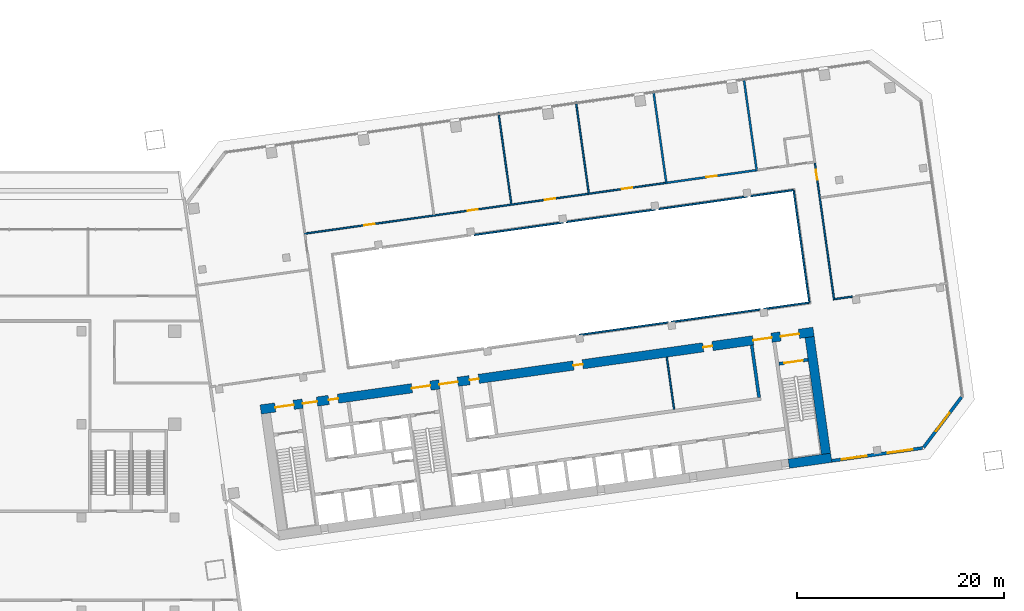
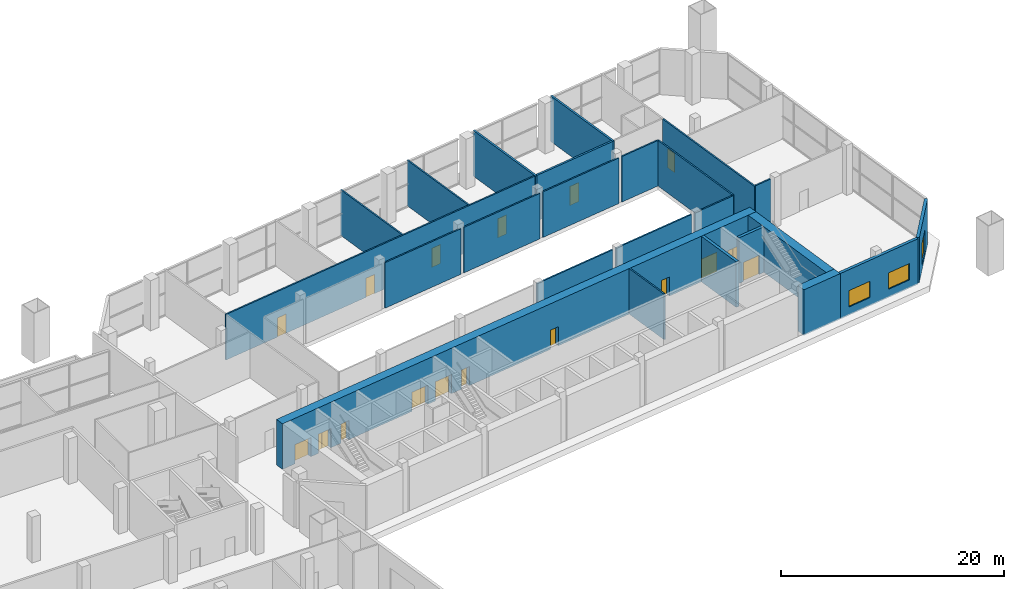
# One storey, part 17 of 23: 24 walls, 17 doors, 3 windows, 20 openings.
"""IFC4 building model written with IfcOpenShell, lengths in metres."""

from ifc_helpers import new_model, si_unit, direction, frame, frame_2d, origin, place, context, subcontext, project, spatial, rectangle, extrude, material, layer, layer_set, type_object, element, fill, save


model = new_model("IFC4")

# Units and contexts
model_context = context("Model", 3, precision=1e-05, world=origin(), true_north=direction((0.0, 1.0)))
body_context = subcontext(model_context, "Body", "Model", "MODEL_VIEW")
ifc_project = project(units=[si_unit("LENGTHUNIT", "METRE"), si_unit("AREAUNIT", "SQUARE_METRE"), si_unit("VOLUMEUNIT", "CUBIC_METRE"), si_unit("PLANEANGLEUNIT", "RADIAN"), si_unit("MASSUNIT", "GRAM", prefix="KILO")], contexts=[model_context])

# Site, building, storey
site_placement = place(None, origin())
site = spatial("IfcSite", under=ifc_project, at=site_placement, CompositionType="ELEMENT")
building_placement = place(site_placement, origin())
building = spatial("IfcBuilding", under=site, at=building_placement, Name="Mirante Cascada Hotel Towers", CompositionType="ELEMENT")
storey_placement = place(building_placement, frame((0.0, 0.0, 29.0)))
storey = spatial("IfcBuildingStorey", under=building, at=storey_placement, Name="L04", CompositionType="ELEMENT", Elevation=29.0)

# Walls
ifc_material_1 = material(Name="Masonry block", Category="masonry")
ifc_layer_1 = layer(ifc_material_1, 0.15)
ifc_layer_set_1 = layer_set([ifc_layer_1], Name="Core room partition 150 block EI 30")
wall_type_1 = type_object("IfcWallType", Name="Core room partition 150 block EI 30", PredefinedType="PARTITIONING", material=ifc_layer_set_1)
wall_1_placement = place(storey_placement, frame((75.3131, -7.5476, 0.0), z_axis=(0.0, 0.0, 1.0), x_axis=(-0.1391782, 0.9902673, 0.0)))
element("IfcWall", 1, at=wall_1_placement, inside=storey, type_object=wall_type_1, Name="Core wall partition T2 L04 5", PredefinedType="PARTITIONING", context=body_context, shape_type="SweptSolid", body=[
    extrude(rectangle(XDim=5.0999, YDim=0.15, at=frame_2d((2.55, 0.0))), origin(), (0.0, 0.0, 1.0), 5.0),
])
ifc_material_2 = material(Name="Masonry block", Category="masonry")
ifc_layer_2 = layer(ifc_material_2, 0.15)
ifc_layer_set_2 = layer_set([ifc_layer_2], Name="Corridor wall 150 block")
wall_type_2 = type_object("IfcWallType", Name="Corridor wall 150 block", PredefinedType="PARTITIONING", material=ifc_layer_set_2)
wall_2_placement = place(storey_placement, frame((86.8771, 13.638, 0.0), z_axis=(0.0, 0.0, 1.0), x_axis=(0.1391764, -0.9902676, 0.0)))
element("IfcWall", 2, at=wall_2_placement, inside=storey, type_object=wall_type_2, Name="Corridor wall T2 L04", PredefinedType="PARTITIONING", context=body_context, shape_type="SweptSolid", body=[
    extrude(rectangle(XDim=10.9401, YDim=0.15, at=frame_2d((5.47, 0.0))), origin(), (0.0, 0.0, 1.0), 5.0),
])

# Wall, opening, door
wall_3_placement = place(storey_placement, frame((88.926, 16.3041, 0.0), z_axis=(0.0, 0.0, 1.0), x_axis=(0.1391789, -0.9902673, 0.0)))
wall_3 = element("IfcWall", 3, at=wall_3_placement, inside=storey, type_object=wall_type_2, Name="Corridor wall T2 L04", PredefinedType="PARTITIONING", context=body_context, shape_type="SweptSolid", body=[
    extrude(rectangle(XDim=13.4, YDim=0.15, at=frame_2d((6.7, 0.0))), origin(), (0.0, 0.0, 1.0), 5.0),
])
opening_1_placement = place(wall_3_placement, frame((0.6675, 0.0, 0.0)))
opening_1 = element("IfcOpeningElement", 4, at=opening_1_placement, cuts=wall_3, Name="Opening DP2-L04-04", PredefinedType="OPENING", context=body_context, shape_type="SweptSolid", body=[
    extrude(rectangle(XDim=1.0, YDim=2.1, at=frame_2d((0.5, 1.05))), frame((0.0, 0.075, 0.0), z_axis=(0.0, -1.0, 0.0), x_axis=(1.0, 0.0, 0.0)), (0.0, 0.0, 1.0), 0.15),
])
ifc_material_3 = material(Name="Timber door leaf", Category="wood")
door_type_1 = type_object("IfcDoorType", Name="Single door 1000x2100", OperationType="NOTDEFINED", PredefinedType="DOOR", material=ifc_material_3)
door_1_placement = place(opening_1_placement, origin())
door_1 = element("IfcDoor", 5, at=door_1_placement, inside=storey, type_object=door_type_1, Name="Door DP2-L04-04", OperationType="SINGLE_SWING_RIGHT", OverallHeight=2.1, OverallWidth=1.0, PredefinedType="DOOR", context=body_context, shape_type="SweptSolid", body=[
    extrude(rectangle(XDim=1.0, YDim=2.1, at=frame_2d((0.5, 1.05))), frame((0.0, 0.025, 0.0), z_axis=(0.0, -1.0, 0.0), x_axis=(1.0, 0.0, 0.0)), (0.0, 0.0, 1.0), 0.05),
])
fill(opening_1, door_1)

# Wall
wall_4_placement = place(storey_placement, frame((90.8449, 3.1178, 0.0), z_axis=(0.0, 0.0, 1.0), x_axis=(0.9902659, 0.1391884, 0.0)))
element("IfcWall", 6, at=wall_4_placement, inside=storey, type_object=wall_type_2, Name="Corridor wall T2 L04", PredefinedType="PARTITIONING", context=body_context, shape_type="SweptSolid", body=[
    extrude(rectangle(XDim=1.7307, YDim=0.15, at=frame_2d((0.8654, 0.0))), origin(), (0.0, 0.0, 1.0), 5.0),
])

# Wall, openings, doors
wall_5_placement = place(storey_placement, frame((39.526, 9.4371, 0.0), z_axis=(0.0, 0.0, 1.0), x_axis=(0.990268, 0.1391734, 0.0)))
wall_5 = element("IfcWall", 7, at=wall_5_placement, inside=storey, type_object=wall_type_2, Name="Corridor wall T2 L04", PredefinedType="PARTITIONING", context=body_context, shape_type="SweptSolid", body=[
    extrude(rectangle(XDim=35.2862, YDim=0.15, at=frame_2d((17.6431, 0.0))), origin(), (0.0, 0.0, 1.0), 5.0),
])
opening_2_placement = place(wall_5_placement, frame((5.8788, 0.0, 0.0)))
opening_2 = element("IfcOpeningElement", 8, at=opening_2_placement, cuts=wall_5, Name="Opening DP2-L04-05", PredefinedType="OPENING", context=body_context, shape_type="SweptSolid", body=[
    extrude(rectangle(XDim=1.0, YDim=2.1, at=frame_2d((0.5, 1.05))), frame((0.0, 0.075, 0.0), z_axis=(0.0, -1.0, 0.0), x_axis=(1.0, 0.0, 0.0)), (0.0, 0.0, 1.0), 0.15),
])
opening_3_placement = place(wall_5_placement, frame((15.9648, 0.0, 0.0)))
opening_3 = element("IfcOpeningElement", 9, at=opening_3_placement, cuts=wall_5, Name="Opening DP2-L04-06", PredefinedType="OPENING", context=body_context, shape_type="SweptSolid", body=[
    extrude(rectangle(XDim=1.0, YDim=2.1, at=frame_2d((0.5, 1.05))), frame((0.0, 0.075, 0.0), z_axis=(0.0, -1.0, 0.0), x_axis=(1.0, 0.0, 0.0)), (0.0, 0.0, 1.0), 0.15),
])
opening_4_placement = place(wall_5_placement, frame((23.5294, 0.0, 0.0)))
opening_4 = element("IfcOpeningElement", 10, at=opening_4_placement, cuts=wall_5, Name="Opening DP2-L04-07", PredefinedType="OPENING", context=body_context, shape_type="SweptSolid", body=[
    extrude(rectangle(XDim=1.0, YDim=2.1, at=frame_2d((0.5, 1.05))), frame((0.0, 0.075, 0.0), z_axis=(0.0, -1.0, 0.0), x_axis=(1.0, 0.0, 0.0)), (0.0, 0.0, 1.0), 0.15),
])
opening_5_placement = place(wall_5_placement, frame((31.0489, 0.0, 0.0)))
opening_5 = element("IfcOpeningElement", 11, at=opening_5_placement, cuts=wall_5, Name="Opening DP2-L04-08", PredefinedType="OPENING", context=body_context, shape_type="SweptSolid", body=[
    extrude(rectangle(XDim=1.0, YDim=2.1, at=frame_2d((0.5, 1.05))), frame((0.0, 0.075, 0.0), z_axis=(0.0, -1.0, 0.0), x_axis=(1.0, 0.0, 0.0)), (0.0, 0.0, 1.0), 0.15),
])
door_2_placement = place(opening_2_placement, frame((1.0, 0.0, 0.0), z_axis=(0.0, 0.0, 1.0), x_axis=(-1.0, 0.0, 0.0)))
door_2 = element("IfcDoor", 12, at=door_2_placement, inside=storey, type_object=door_type_1, Name="Door DP2-L04-05", OperationType="SINGLE_SWING_LEFT", OverallHeight=2.1, OverallWidth=1.0, PredefinedType="DOOR", context=body_context, shape_type="SweptSolid", body=[
    extrude(rectangle(XDim=1.0, YDim=2.1, at=frame_2d((0.5, 1.05))), frame((0.0, 0.025, 0.0), z_axis=(0.0, -1.0, 0.0), x_axis=(1.0, 0.0, 0.0)), (0.0, 0.0, 1.0), 0.05),
])
fill(opening_2, door_2)
door_3_placement = place(opening_3_placement, origin())
door_3 = element("IfcDoor", 13, at=door_3_placement, inside=storey, type_object=door_type_1, Name="Door DP2-L04-06", OperationType="SINGLE_SWING_RIGHT", OverallHeight=2.1, OverallWidth=1.0, PredefinedType="DOOR", context=body_context, shape_type="SweptSolid", body=[
    extrude(rectangle(XDim=1.0, YDim=2.1, at=frame_2d((0.5, 1.05))), frame((0.0, 0.025, 0.0), z_axis=(0.0, -1.0, 0.0), x_axis=(1.0, 0.0, 0.0)), (0.0, 0.0, 1.0), 0.05),
])
fill(opening_3, door_3)
door_4_placement = place(opening_4_placement, frame((1.0, 0.0, 0.0), z_axis=(0.0, 0.0, 1.0), x_axis=(-1.0, 0.0, 0.0)))
door_4 = element("IfcDoor", 14, at=door_4_placement, inside=storey, type_object=door_type_1, Name="Door DP2-L04-07", OperationType="SINGLE_SWING_LEFT", OverallHeight=2.1, OverallWidth=1.0, PredefinedType="DOOR", context=body_context, shape_type="SweptSolid", body=[
    extrude(rectangle(XDim=1.0, YDim=2.1, at=frame_2d((0.5, 1.05))), frame((0.0, 0.025, 0.0), z_axis=(0.0, -1.0, 0.0), x_axis=(1.0, 0.0, 0.0)), (0.0, 0.0, 1.0), 0.05),
])
fill(opening_4, door_4)
door_5_placement = place(opening_5_placement, frame((1.0, 0.0, 0.0), z_axis=(0.0, 0.0, 1.0), x_axis=(-1.0, 0.0, 0.0)))
door_5 = element("IfcDoor", 15, at=door_5_placement, inside=storey, type_object=door_type_1, Name="Door DP2-L04-08", OperationType="SINGLE_SWING_RIGHT", OverallHeight=2.1, OverallWidth=1.0, PredefinedType="DOOR", context=body_context, shape_type="SweptSolid", body=[
    extrude(rectangle(XDim=1.0, YDim=2.1, at=frame_2d((0.5, 1.05))), frame((0.0, 0.025, 0.0), z_axis=(0.0, -1.0, 0.0), x_axis=(1.0, 0.0, 0.0)), (0.0, 0.0, 1.0), 0.05),
])
fill(opening_5, door_5)

# Walls
for number, where, z_axis, x_axis, name in (
    (16, (66.1471, -0.3533, 0.0), (0.0, 0.0, 1.0), (0.9902682, 0.139172, 0.0), "Corridor wall T2 L04"),
    (17, (75.0595, 0.8993, 0.0), (0.0, 0.0, 1.0), (0.9902682, 0.139172, 0.0), "Corridor wall T2 L04"),
):
    element("IfcWall", number, at=place(storey_placement, frame(where, z_axis=z_axis, x_axis=x_axis)), inside=storey, type_object=wall_type_2, Name=name, PredefinedType="PARTITIONING", context=body_context, shape_type="SweptSolid", body=[
        extrude(rectangle(XDim=8.6713, YDim=0.15, at=frame_2d((4.3356, 0.0))), origin(), (0.0, 0.0, 1.0), 5.0),
    ])
wall_6_placement = place(storey_placement, frame((83.9719, 2.1518, 0.0), z_axis=(0.0, 0.0, 1.0), x_axis=(0.9902682, 0.1391725, 0.0)))
element("IfcWall", 18, at=wall_6_placement, inside=storey, type_object=wall_type_2, Name="Corridor wall T2 L04", PredefinedType="PARTITIONING", context=body_context, shape_type="SweptSolid", body=[
    extrude(rectangle(XDim=4.4456, YDim=0.15, at=frame_2d((2.2228, 0.0))), origin(), (0.0, 0.0, 1.0), 5.0),
])
for number, where, z_axis, x_axis, name in (
    (19, (55.9808, 9.3261, 0.0), (0.0, 0.0, 1.0), (0.9902682, 0.139172, 0.0), "Corridor wall T2 L04"),
    (20, (64.8932, 10.5786, 0.0), (0.0, 0.0, 1.0), (0.9902682, 0.139172, 0.0), "Corridor wall T2 L04"),
    (21, (73.8056, 11.8312, 0.0), (0.0, 0.0, 1.0), (0.9902682, 0.139172, 0.0), "Corridor wall T2 L04"),
):
    element("IfcWall", number, at=place(storey_placement, frame(where, z_axis=z_axis, x_axis=x_axis)), inside=storey, type_object=wall_type_2, Name=name, PredefinedType="PARTITIONING", context=body_context, shape_type="SweptSolid", body=[
        extrude(rectangle(XDim=8.6713, YDim=0.15, at=frame_2d((4.3356, 0.0))), origin(), (0.0, 0.0, 1.0), 5.0),
    ])
wall_7_placement = place(storey_placement, frame((82.718, 13.0837, 0.0), z_axis=(0.0, 0.0, 1.0), x_axis=(0.9902672, 0.1391794, 0.0)))
element("IfcWall", 22, at=wall_7_placement, inside=storey, type_object=wall_type_2, Name="Corridor wall T2 L04", PredefinedType="PARTITIONING", context=body_context, shape_type="SweptSolid", body=[
    extrude(rectangle(XDim=4.1658, YDim=0.15, at=frame_2d((2.0829, 0.0))), origin(), (0.0, 0.0, 1.0), 5.0),
])
ifc_material_4 = material(Name="Masonry block", Category="masonry")
ifc_layer_3 = layer(ifc_material_4, 0.2)
ifc_layer_set_3 = layer_set([ifc_layer_3], Name="Kitchen wall 200 block EI 120")
wall_type_3 = type_object("IfcWallType", Name="Kitchen wall 200 block EI 120", PredefinedType="PARTITIONING", material=ifc_layer_set_3)
for number, where, z_axis, x_axis, name in (
    (23, (73.3054, 23.2729, 0.0), (0.0, 0.0, 1.0), (0.1391764, -0.9902676, 0.0), "Kitchen wall T2 L04"),
    (24, (82.0448, 24.5011, 0.0), (0.0, 0.0, 1.0), (0.1391764, -0.9902676, 0.0), "Kitchen wall T2 L04"),
):
    element("IfcWall", number, at=place(storey_placement, frame(where, z_axis=z_axis, x_axis=x_axis)), inside=storey, type_object=wall_type_3, Name=name, PredefinedType="PARTITIONING", context=body_context, shape_type="SweptSolid", body=[
        extrude(rectangle(XDim=9.1, YDim=0.2, at=frame_2d((4.55, 0.0))), origin(), (0.0, 0.0, 1.0), 5.0),
    ])

# Wall, opening, door
wall_8_placement = place(storey_placement, frame((74.6471, 14.373, 0.0), z_axis=(0.0, 0.0, 1.0), x_axis=(0.990268, 0.1391733, 0.0)))
wall_8 = element("IfcWall", 25, at=wall_8_placement, inside=storey, type_object=wall_type_3, Name="Kitchen wall T2 L04", PredefinedType="PARTITIONING", context=body_context, shape_type="SweptSolid", body=[
    extrude(rectangle(XDim=8.6453, YDim=0.2, at=frame_2d((4.3226, 0.0))), origin(), (0.0, 0.0, 1.0), 5.0),
])
opening_6_placement = place(wall_8_placement, frame((3.8227, 0.0, 0.0)))
opening_6 = element("IfcOpeningElement", 26, at=opening_6_placement, cuts=wall_8, Name="Opening DP2-L04-09", PredefinedType="OPENING", context=body_context, shape_type="SweptSolid", body=[
    extrude(rectangle(XDim=1.0, YDim=2.1, at=frame_2d((0.5, 1.05))), frame((0.0, 0.1, 0.0), z_axis=(0.0, -1.0, 0.0), x_axis=(1.0, 0.0, 0.0)), (0.0, 0.0, 1.0), 0.2),
])
ifc_material_5 = material(Name="Hollow metal fire door leaf")
door_type_2 = type_object("IfcDoorType", Name="Fire door 1000x2100 FD60", OperationType="NOTDEFINED", PredefinedType="DOOR", material=ifc_material_5)
door_6_placement = place(opening_6_placement, origin())
door_6 = element("IfcDoor", 27, at=door_6_placement, inside=storey, type_object=door_type_2, Name="Door DP2-L04-09", OperationType="SINGLE_SWING_LEFT", OverallHeight=2.1, OverallWidth=1.0, PredefinedType="DOOR", context=body_context, shape_type="SweptSolid", body=[
    extrude(rectangle(XDim=1.0, YDim=2.1, at=frame_2d((0.5, 1.05))), frame((0.0, 0.025, 0.0), z_axis=(0.0, -1.0, 0.0), x_axis=(1.0, 0.0, 0.0)), (0.0, 0.0, 1.0), 0.05),
])
fill(opening_6, door_6)

# Walls
ifc_material_6 = material(Name="Masonry block", Category="masonry")
ifc_layer_4 = layer(ifc_material_6, 0.15)
ifc_layer_set_4 = layer_set([ifc_layer_4], Name="Partition 150 block")
wall_type_4 = type_object("IfcWallType", Name="Partition 150 block", PredefinedType="PARTITIONING", material=ifc_layer_set_4)
for number, where, z_axis, x_axis, name in (
    (28, (58.3235, 21.1673, 0.0), (0.0, 0.0, 1.0), (0.1391716, -0.9902683, 0.0), "Partition T2 L04"),
    (29, (65.8145, 22.2201, 0.0), (0.0, 0.0, 1.0), (0.1391716, -0.9902683, 0.0), "Partition T2 L04"),
):
    element("IfcWall", number, at=place(storey_placement, frame(where, z_axis=z_axis, x_axis=x_axis)), inside=storey, type_object=wall_type_4, Name=name, PredefinedType="PARTITIONING", context=body_context, shape_type="SweptSolid", body=[
        extrude(rectangle(XDim=8.925, YDim=0.15, at=frame_2d((4.4625, 0.0))), origin(), (0.0, 0.0, 1.0), 5.0),
    ])

# Wall, openings, windows
ifc_material_7 = material(Name="Precast concrete C40/50", Category="concrete")
ifc_layer_5 = layer(ifc_material_7, 0.3)
ifc_layer_set_5 = layer_set([ifc_layer_5], Name="Precast concrete C40/50 cladding wall 300")
wall_type_5 = type_object("IfcWallType", Name="Precast concrete C40/50 cladding wall 300", PredefinedType="STANDARD", material=ifc_layer_set_5)
wall_9_placement = place(storey_placement, frame((90.5541, -12.5249, 0.0), z_axis=(0.0, 0.0, 1.0), x_axis=(0.9902676, 0.1391765, 0.0)))
wall_9 = element("IfcWall", 30, at=wall_9_placement, inside=storey, type_object=wall_type_5, Name="Rear cladding wall T2 L04 1", PredefinedType="STANDARD", context=body_context, shape_type="SweptSolid", body=[
    extrude(rectangle(XDim=8.8758, YDim=0.3, at=frame_2d((4.4379, 0.0))), origin(), (0.0, 0.0, 1.0), 5.0),
])
opening_7_placement = place(wall_9_placement, frame((1.0012, 0.0, 0.9)))
opening_7 = element("IfcOpeningElement", 31, at=opening_7_placement, cuts=wall_9, Name="Opening W2-04-01", PredefinedType="OPENING", context=body_context, shape_type="SweptSolid", body=[
    extrude(rectangle(XDim=2.4, YDim=1.8, at=frame_2d((1.2, 0.9))), frame((0.0, 0.15, 0.0), z_axis=(0.0, -1.0, 0.0), x_axis=(1.0, 0.0, 0.0)), (0.0, 0.0, 1.0), 0.3),
])
opening_8_placement = place(wall_9_placement, frame((5.4923, 0.0, 0.9)))
opening_8 = element("IfcOpeningElement", 32, at=opening_8_placement, cuts=wall_9, Name="Opening W2-04-02", PredefinedType="OPENING", context=body_context, shape_type="SweptSolid", body=[
    extrude(rectangle(XDim=2.4, YDim=1.8, at=frame_2d((1.2, 0.9))), frame((0.0, 0.15, 0.0), z_axis=(0.0, -1.0, 0.0), x_axis=(1.0, 0.0, 0.0)), (0.0, 0.0, 1.0), 0.3),
])
ifc_material_8 = material(Name="Aluminium frame with clear double glazing", Category="aluminium")
window_type_1 = type_object("IfcWindowType", Name="Punched window 2400x1800", PartitioningType="DOUBLE_PANEL_VERTICAL", PredefinedType="WINDOW", material=ifc_material_8)
window_1_placement = place(opening_7_placement, origin())
window_1 = element("IfcWindow", 33, at=window_1_placement, inside=storey, type_object=window_type_1, Name="Window W2-04-01", OverallHeight=1.8, OverallWidth=2.4, PartitioningType="SINGLE_PANEL", PredefinedType="WINDOW", context=body_context, shape_type="SweptSolid", body=[
    extrude(rectangle(XDim=2.4, YDim=1.8, at=frame_2d((1.2, 0.9))), frame((0.0, 0.03, 0.0), z_axis=(0.0, -1.0, 0.0), x_axis=(1.0, 0.0, 0.0)), (0.0, 0.0, 1.0), 0.06),
])
fill(opening_7, window_1)
window_2_placement = place(opening_8_placement, origin())
window_2 = element("IfcWindow", 34, at=window_2_placement, inside=storey, type_object=window_type_1, Name="Window W2-04-02", OverallHeight=1.8, OverallWidth=2.4, PartitioningType="SINGLE_PANEL", PredefinedType="WINDOW", context=body_context, shape_type="SweptSolid", body=[
    extrude(rectangle(XDim=2.4, YDim=1.8, at=frame_2d((1.2, 0.9))), frame((0.0, 0.03, 0.0), z_axis=(0.0, -1.0, 0.0), x_axis=(1.0, 0.0, 0.0)), (0.0, 0.0, 1.0), 0.06),
])
fill(opening_8, window_2)

# Wall, opening, window
wall_10_placement = place(storey_placement, frame((99.4424, -11.2313, 0.0), z_axis=(0.0, 0.0, 1.0), x_axis=(0.6018194, 0.7986322, 0.0)))
wall_10 = element("IfcWall", 35, at=wall_10_placement, inside=storey, type_object=wall_type_5, Name="Corner cladding wall T2 L04 rear outer", PredefinedType="STANDARD", context=body_context, shape_type="SweptSolid", body=[
    extrude(rectangle(XDim=6.1155, YDim=0.3, at=frame_2d((3.0578, 0.0))), origin(), (0.0, 0.0, 1.0), 5.0),
])
opening_9_placement = place(wall_10_placement, frame((1.9576, 0.0, 0.6)))
opening_9 = element("IfcOpeningElement", 36, at=opening_9_placement, cuts=wall_10, Name="Opening W2-04-03", PredefinedType="OPENING", context=body_context, shape_type="SweptSolid", body=[
    extrude(rectangle(XDim=2.2, YDim=2.4, at=frame_2d((1.1, 1.2))), frame((0.0, 0.15, 0.0), z_axis=(0.0, -1.0, 0.0), x_axis=(1.0, 0.0, 0.0)), (0.0, 0.0, 1.0), 0.3),
])
ifc_material_9 = material(Name="Aluminium frame with clear double glazing", Category="aluminium")
window_type_2 = type_object("IfcWindowType", Name="Corner suite window 2200x2400", PartitioningType="DOUBLE_PANEL_VERTICAL", PredefinedType="WINDOW", material=ifc_material_9)
window_3_placement = place(opening_9_placement, origin())
window_3 = element("IfcWindow", 37, at=window_3_placement, inside=storey, type_object=window_type_2, Name="Window W2-04-03", OverallHeight=2.4, OverallWidth=2.2, PartitioningType="SINGLE_PANEL", PredefinedType="WINDOW", context=body_context, shape_type="SweptSolid", body=[
    extrude(rectangle(XDim=2.2, YDim=2.4, at=frame_2d((1.1, 1.2))), frame((0.0, 0.03, 0.0), z_axis=(0.0, -1.0, 0.0), x_axis=(1.0, 0.0, 0.0)), (0.0, 0.0, 1.0), 0.06),
])
fill(opening_9, window_3)

# Wall, opening, door
ifc_material_10 = material(Name="Concrete C50/60", Category="concrete")
ifc_layer_6 = layer(ifc_material_10, 0.3)
ifc_layer_set_6 = layer_set([ifc_layer_6], Name="RC core wall 300 C50/60")
wall_type_6 = type_object("IfcWallType", Name="RC core wall 300 C50/60", PredefinedType="SHEAR", material=ifc_layer_set_6)
wall_11_placement = place(storey_placement, frame((85.4489, -3.1441, 0.0), z_axis=(0.0, 0.0, 1.0), x_axis=(0.9902697, 0.1391613, 0.0)))
wall_11 = element("IfcWall", 38, at=wall_11_placement, inside=storey, type_object=wall_type_6, Name="Core wall T2:L04:11", PredefinedType="SHEAR", context=body_context, shape_type="SweptSolid", body=[
    extrude(rectangle(XDim=2.8499, YDim=0.3, at=frame_2d((1.425, 0.0))), origin(), (0.0, 0.0, 1.0), 5.0),
])
opening_10_placement = place(wall_11_placement, frame((0.525, 0.0, 0.0)))
opening_10 = element("IfcOpeningElement", 39, at=opening_10_placement, cuts=wall_11, Name="Opening D2-04-C20", PredefinedType="OPENING", context=body_context, shape_type="SweptSolid", body=[
    extrude(rectangle(XDim=1.8, YDim=2.1, at=frame_2d((0.9, 1.05))), frame((0.0, 0.15, 0.0), z_axis=(0.0, -1.0, 0.0), x_axis=(1.0, 0.0, 0.0)), (0.0, 0.0, 1.0), 0.3),
])
ifc_material_11 = material(Name="Hollow metal fire door leaf")
door_type_3 = type_object("IfcDoorType", Name="Double fire door 1800x2100 FD60", OperationType="DOUBLE_DOOR_SINGLE_SWING", PredefinedType="DOOR", material=ifc_material_11)
door_7_placement = place(opening_10_placement, frame((1.8, 0.0, 0.0), z_axis=(0.0, 0.0, 1.0), x_axis=(-1.0, 0.0, 0.0)))
door_7 = element("IfcDoor", 40, at=door_7_placement, inside=storey, type_object=door_type_3, Name="Stair door T2 L04 20", OperationType="DOUBLE_DOOR_SINGLE_SWING", OverallHeight=2.1, OverallWidth=1.8, PredefinedType="DOOR", context=body_context, shape_type="SweptSolid", body=[
    extrude(rectangle(XDim=0.895, YDim=2.1, at=frame_2d((0.4475, 1.05))), frame((0.0, 0.025, 0.0), z_axis=(0.0, -1.0, 0.0), x_axis=(1.0, 0.0, 0.0)), (0.0, 0.0, 1.0), 0.05),
    extrude(rectangle(XDim=0.895, YDim=2.1, at=frame_2d((1.3525, 1.05))), frame((0.0, 0.025, 0.0), z_axis=(0.0, -1.0, 0.0), x_axis=(1.0, 0.0, 0.0)), (0.0, 0.0, 1.0), 0.05),
])
fill(opening_10, door_7)

# Walls
wall_12_placement = place(storey_placement, frame((83.5323, -6.3925, 0.0), z_axis=(0.0, 0.0, 1.0), x_axis=(-0.1391755, 0.9902677, 0.0)))
element("IfcWall", 41, at=wall_12_placement, inside=storey, type_object=wall_type_6, Name="Core wall T2:L04:36", PredefinedType="SHEAR", context=body_context, shape_type="SweptSolid", body=[
    extrude(rectangle(XDim=5.1, YDim=0.3, at=frame_2d((2.55, 0.0))), origin(), (0.0, 0.0, 1.0), 5.0),
])
ifc_material_12 = material(Name="Concrete C50/60", Category="concrete")
ifc_layer_7 = layer(ifc_material_12, 0.9)
ifc_layer_set_7 = layer_set([ifc_layer_7], Name="RC core wall 900 C50/60")
wall_type_7 = type_object("IfcWallType", Name="RC core wall 900 C50/60", PredefinedType="SHEAR", material=ifc_layer_set_7)
wall_13_placement = place(storey_placement, frame((86.4027, -12.8054, 0.0), z_axis=(0.0, 0.0, 1.0), x_axis=(0.990267, 0.139181, 0.0)))
element("IfcWall", 42, at=wall_13_placement, inside=storey, type_object=wall_type_7, Name="Core wall T2:L04:1.7", PredefinedType="SHEAR", context=body_context, shape_type="SweptSolid", body=[
    extrude(rectangle(XDim=4.15, YDim=0.9, at=frame_2d((2.075, 0.0))), origin(), (0.0, 0.0, 1.0), 5.0),
])

# Wall, openings, doors
wall_14_placement = place(storey_placement, frame((35.326, -7.5629, 0.0), z_axis=(0.0, 0.0, 1.0), x_axis=(0.9902679, 0.139174, 0.0)))
wall_14 = element("IfcWall", 43, at=wall_14_placement, inside=storey, type_object=wall_type_7, Name="Core wall T2:L04:2", PredefinedType="SHEAR", context=body_context, shape_type="SweptSolid", body=[
    extrude(rectangle(XDim=54.0, YDim=0.9, at=frame_2d((27.0, 0.0))), origin(), (0.0, 0.0, 1.0), 5.0),
])
opening_11_placement = place(wall_14_placement, frame((1.425, 0.0, 0.0)))
opening_11 = element("IfcOpeningElement", 44, at=opening_11_placement, cuts=wall_14, Name="Opening D2-04-C17", PredefinedType="OPENING", context=body_context, shape_type="SweptSolid", body=[
    extrude(rectangle(XDim=1.8, YDim=2.1, at=frame_2d((0.9, 1.05))), frame((0.0, 0.45, 0.0), z_axis=(0.0, -1.0, 0.0), x_axis=(1.0, 0.0, 0.0)), (0.0, 0.0, 1.0), 0.9),
])
opening_12_placement = place(wall_14_placement, frame((14.775, 0.0, 0.0)))
opening_12 = element("IfcOpeningElement", 45, at=opening_12_placement, cuts=wall_14, Name="Opening D2-04-C19", PredefinedType="OPENING", context=body_context, shape_type="SweptSolid", body=[
    extrude(rectangle(XDim=1.8, YDim=2.1, at=frame_2d((0.9, 1.05))), frame((0.0, 0.45, 0.0), z_axis=(0.0, -1.0, 0.0), x_axis=(1.0, 0.0, 0.0)), (0.0, 0.0, 1.0), 0.9),
])
opening_13_placement = place(wall_14_placement, frame((50.775, 0.0, 0.0)))
opening_13 = element("IfcOpeningElement", 46, at=opening_13_placement, cuts=wall_14, Name="Opening D2-04-C21", PredefinedType="OPENING", context=body_context, shape_type="SweptSolid", body=[
    extrude(rectangle(XDim=1.8, YDim=2.1, at=frame_2d((0.9, 1.05))), frame((0.0, 0.45, 0.0), z_axis=(0.0, -1.0, 0.0), x_axis=(1.0, 0.0, 0.0)), (0.0, 0.0, 1.0), 0.9),
])
opening_14_placement = place(wall_14_placement, frame((4.1, 0.0, 0.0)))
opening_14 = element("IfcOpeningElement", 47, at=opening_14_placement, cuts=wall_14, Name="Opening D2-04-C22", PredefinedType="OPENING", context=body_context, shape_type="SweptSolid", body=[
    extrude(rectangle(XDim=1.4, YDim=2.1, at=frame_2d((0.7, 1.05))), frame((0.0, 0.45, 0.0), z_axis=(0.0, -1.0, 0.0), x_axis=(1.0, 0.0, 0.0)), (0.0, 0.0, 1.0), 0.9),
])
opening_15_placement = place(wall_14_placement, frame((17.45, 0.0, 0.0)))
opening_15 = element("IfcOpeningElement", 48, at=opening_15_placement, cuts=wall_14, Name="Opening D2-04-C23", PredefinedType="OPENING", context=body_context, shape_type="SweptSolid", body=[
    extrude(rectangle(XDim=1.8, YDim=2.1, at=frame_2d((0.9, 1.05))), frame((0.0, 0.45, 0.0), z_axis=(0.0, -1.0, 0.0), x_axis=(1.0, 0.0, 0.0)), (0.0, 0.0, 1.0), 0.9),
])
opening_16_placement = place(wall_14_placement, frame((48.1, 0.0, 0.0)))
opening_16 = element("IfcOpeningElement", 49, at=opening_16_placement, cuts=wall_14, Name="Opening D2-04-C24", PredefinedType="OPENING", context=body_context, shape_type="SweptSolid", body=[
    extrude(rectangle(XDim=1.8, YDim=2.1, at=frame_2d((0.9, 1.05))), frame((0.0, 0.45, 0.0), z_axis=(0.0, -1.0, 0.0), x_axis=(1.0, 0.0, 0.0)), (0.0, 0.0, 1.0), 0.9),
])
opening_17_placement = place(wall_14_placement, frame((6.65, 0.0, 0.0)))
opening_17 = element("IfcOpeningElement", 50, at=opening_17_placement, cuts=wall_14, Name="Opening D2-04-C27", PredefinedType="OPENING", context=body_context, shape_type="SweptSolid", body=[
    extrude(rectangle(XDim=0.9, YDim=2.1, at=frame_2d((0.45, 1.05))), frame((0.0, 0.45, 0.0), z_axis=(0.0, -1.0, 0.0), x_axis=(1.0, 0.0, 0.0)), (0.0, 0.0, 1.0), 0.9),
])
opening_18_placement = place(wall_14_placement, frame((20.4, 0.0, 0.0)))
opening_18 = element("IfcOpeningElement", 51, at=opening_18_placement, cuts=wall_14, Name="Opening D2-04-C30", PredefinedType="OPENING", context=body_context, shape_type="SweptSolid", body=[
    extrude(rectangle(XDim=0.9, YDim=2.1, at=frame_2d((0.45, 1.05))), frame((0.0, 0.45, 0.0), z_axis=(0.0, -1.0, 0.0), x_axis=(1.0, 0.0, 0.0)), (0.0, 0.0, 1.0), 0.9),
])
opening_19_placement = place(wall_14_placement, frame((30.55, 0.0, 0.0)))
opening_19 = element("IfcOpeningElement", 52, at=opening_19_placement, cuts=wall_14, Name="Opening D2-04-C31", PredefinedType="OPENING", context=body_context, shape_type="SweptSolid", body=[
    extrude(rectangle(XDim=0.9, YDim=2.1, at=frame_2d((0.45, 1.05))), frame((0.0, 0.45, 0.0), z_axis=(0.0, -1.0, 0.0), x_axis=(1.0, 0.0, 0.0)), (0.0, 0.0, 1.0), 0.9),
])
opening_20_placement = place(wall_14_placement, frame((43.225, 0.0, 0.0)))
opening_20 = element("IfcOpeningElement", 53, at=opening_20_placement, cuts=wall_14, Name="Opening D2-04-C32", PredefinedType="OPENING", context=body_context, shape_type="SweptSolid", body=[
    extrude(rectangle(XDim=0.9, YDim=2.1, at=frame_2d((0.45, 1.05))), frame((0.0, 0.45, 0.0), z_axis=(0.0, -1.0, 0.0), x_axis=(1.0, 0.0, 0.0)), (0.0, 0.0, 1.0), 0.9),
])
ifc_material_13 = material(Name="Hollow metal fire door leaf")
door_type_4 = type_object("IfcDoorType", Name="Double fire door 1400x2100 FD60", OperationType="DOUBLE_DOOR_SINGLE_SWING", PredefinedType="DOOR", material=ifc_material_13)
door_8_placement = place(opening_14_placement, origin())
door_8 = element("IfcDoor", 54, at=door_8_placement, inside=storey, type_object=door_type_4, Name="Exit door to gallery T2 L04 22", OperationType="DOUBLE_DOOR_SINGLE_SWING", OverallHeight=2.1, OverallWidth=1.4, PredefinedType="DOOR", context=body_context, shape_type="SweptSolid", body=[
    extrude(rectangle(XDim=0.695, YDim=2.1, at=frame_2d((0.3475, 1.05))), frame((0.0, 0.025, 0.0), z_axis=(0.0, -1.0, 0.0), x_axis=(1.0, 0.0, 0.0)), (0.0, 0.0, 1.0), 0.05),
    extrude(rectangle(XDim=0.695, YDim=2.1, at=frame_2d((1.0525, 1.05))), frame((0.0, 0.025, 0.0), z_axis=(0.0, -1.0, 0.0), x_axis=(1.0, 0.0, 0.0)), (0.0, 0.0, 1.0), 0.05),
])
fill(opening_14, door_8)
door_9_placement = place(opening_11_placement, frame((1.8, 0.0, 0.0), z_axis=(0.0, 0.0, 1.0), x_axis=(-1.0, 0.0, 0.0)))
door_9 = element("IfcDoor", 55, at=door_9_placement, inside=storey, type_object=door_type_3, Name="Exit door to gallery T2 L04 17", OperationType="DOUBLE_DOOR_SINGLE_SWING", OverallHeight=2.1, OverallWidth=1.8, PredefinedType="DOOR", context=body_context, shape_type="SweptSolid", body=[
    extrude(rectangle(XDim=0.895, YDim=2.1, at=frame_2d((0.4475, 1.05))), frame((0.0, 0.025, 0.0), z_axis=(0.0, -1.0, 0.0), x_axis=(1.0, 0.0, 0.0)), (0.0, 0.0, 1.0), 0.05),
    extrude(rectangle(XDim=0.895, YDim=2.1, at=frame_2d((1.3525, 1.05))), frame((0.0, 0.025, 0.0), z_axis=(0.0, -1.0, 0.0), x_axis=(1.0, 0.0, 0.0)), (0.0, 0.0, 1.0), 0.05),
])
fill(opening_11, door_9)
door_10_placement = place(opening_12_placement, frame((1.8, 0.0, 0.0), z_axis=(0.0, 0.0, 1.0), x_axis=(-1.0, 0.0, 0.0)))
door_10 = element("IfcDoor", 56, at=door_10_placement, inside=storey, type_object=door_type_3, Name="Exit door to gallery T2 L04 19", OperationType="DOUBLE_DOOR_SINGLE_SWING", OverallHeight=2.1, OverallWidth=1.8, PredefinedType="DOOR", context=body_context, shape_type="SweptSolid", body=[
    extrude(rectangle(XDim=0.895, YDim=2.1, at=frame_2d((0.4475, 1.05))), frame((0.0, 0.025, 0.0), z_axis=(0.0, -1.0, 0.0), x_axis=(1.0, 0.0, 0.0)), (0.0, 0.0, 1.0), 0.05),
    extrude(rectangle(XDim=0.895, YDim=2.1, at=frame_2d((1.3525, 1.05))), frame((0.0, 0.025, 0.0), z_axis=(0.0, -1.0, 0.0), x_axis=(1.0, 0.0, 0.0)), (0.0, 0.0, 1.0), 0.05),
])
fill(opening_12, door_10)
door_11_placement = place(opening_13_placement, frame((1.8, 0.0, 0.0), z_axis=(0.0, 0.0, 1.0), x_axis=(-1.0, 0.0, 0.0)))
door_11 = element("IfcDoor", 57, at=door_11_placement, inside=storey, type_object=door_type_3, Name="Exit door to gallery T2 L04 21", OperationType="DOUBLE_DOOR_SINGLE_SWING", OverallHeight=2.1, OverallWidth=1.8, PredefinedType="DOOR", context=body_context, shape_type="SweptSolid", body=[
    extrude(rectangle(XDim=0.895, YDim=2.1, at=frame_2d((0.4475, 1.05))), frame((0.0, 0.025, 0.0), z_axis=(0.0, -1.0, 0.0), x_axis=(1.0, 0.0, 0.0)), (0.0, 0.0, 1.0), 0.05),
    extrude(rectangle(XDim=0.895, YDim=2.1, at=frame_2d((1.3525, 1.05))), frame((0.0, 0.025, 0.0), z_axis=(0.0, -1.0, 0.0), x_axis=(1.0, 0.0, 0.0)), (0.0, 0.0, 1.0), 0.05),
])
fill(opening_13, door_11)
door_12_placement = place(opening_15_placement, origin())
door_12 = element("IfcDoor", 58, at=door_12_placement, inside=storey, type_object=door_type_3, Name="Exit door to gallery T2 L04 23", OperationType="DOUBLE_DOOR_SINGLE_SWING", OverallHeight=2.1, OverallWidth=1.8, PredefinedType="DOOR", context=body_context, shape_type="SweptSolid", body=[
    extrude(rectangle(XDim=0.895, YDim=2.1, at=frame_2d((0.4475, 1.05))), frame((0.0, 0.025, 0.0), z_axis=(0.0, -1.0, 0.0), x_axis=(1.0, 0.0, 0.0)), (0.0, 0.0, 1.0), 0.05),
    extrude(rectangle(XDim=0.895, YDim=2.1, at=frame_2d((1.3525, 1.05))), frame((0.0, 0.025, 0.0), z_axis=(0.0, -1.0, 0.0), x_axis=(1.0, 0.0, 0.0)), (0.0, 0.0, 1.0), 0.05),
])
fill(opening_15, door_12)
door_13_placement = place(opening_16_placement, origin())
door_13 = element("IfcDoor", 59, at=door_13_placement, inside=storey, type_object=door_type_3, Name="Exit door to gallery T2 L04 24", OperationType="DOUBLE_DOOR_SINGLE_SWING", OverallHeight=2.1, OverallWidth=1.8, PredefinedType="DOOR", context=body_context, shape_type="SweptSolid", body=[
    extrude(rectangle(XDim=0.895, YDim=2.1, at=frame_2d((0.4475, 1.05))), frame((0.0, 0.025, 0.0), z_axis=(0.0, -1.0, 0.0), x_axis=(1.0, 0.0, 0.0)), (0.0, 0.0, 1.0), 0.05),
    extrude(rectangle(XDim=0.895, YDim=2.1, at=frame_2d((1.3525, 1.05))), frame((0.0, 0.025, 0.0), z_axis=(0.0, -1.0, 0.0), x_axis=(1.0, 0.0, 0.0)), (0.0, 0.0, 1.0), 0.05),
])
fill(opening_16, door_13)
ifc_material_14 = material(Name="Hollow metal fire door leaf")
door_type_5 = type_object("IfcDoorType", Name="Fire door 900x2100 FD60", OperationType="NOTDEFINED", PredefinedType="DOOR", material=ifc_material_14)
door_14_placement = place(opening_17_placement, frame((0.9, 0.0, 0.0), z_axis=(0.0, 0.0, 1.0), x_axis=(-1.0, 0.0, 0.0)))
door_14 = element("IfcDoor", 60, at=door_14_placement, inside=storey, type_object=door_type_5, Name="Room door T2 L04 27", OperationType="SINGLE_SWING_LEFT", OverallHeight=2.1, OverallWidth=0.9, PredefinedType="DOOR", context=body_context, shape_type="SweptSolid", body=[
    extrude(rectangle(XDim=0.9, YDim=2.1, at=frame_2d((0.45, 1.05))), frame((0.0, 0.025, 0.0), z_axis=(0.0, -1.0, 0.0), x_axis=(1.0, 0.0, 0.0)), (0.0, 0.0, 1.0), 0.05),
])
fill(opening_17, door_14)
door_15_placement = place(opening_18_placement, frame((0.9, 0.0, 0.0), z_axis=(0.0, 0.0, 1.0), x_axis=(-1.0, 0.0, 0.0)))
door_15 = element("IfcDoor", 61, at=door_15_placement, inside=storey, type_object=door_type_5, Name="Room door T2 L04 30", OperationType="SINGLE_SWING_LEFT", OverallHeight=2.1, OverallWidth=0.9, PredefinedType="DOOR", context=body_context, shape_type="SweptSolid", body=[
    extrude(rectangle(XDim=0.9, YDim=2.1, at=frame_2d((0.45, 1.05))), frame((0.0, 0.025, 0.0), z_axis=(0.0, -1.0, 0.0), x_axis=(1.0, 0.0, 0.0)), (0.0, 0.0, 1.0), 0.05),
])
fill(opening_18, door_15)
door_16_placement = place(opening_19_placement, frame((0.9, 0.0, 0.0), z_axis=(0.0, 0.0, 1.0), x_axis=(-1.0, 0.0, 0.0)))
door_16 = element("IfcDoor", 62, at=door_16_placement, inside=storey, type_object=door_type_5, Name="Room door T2 L04 31", OperationType="SINGLE_SWING_RIGHT", OverallHeight=2.1, OverallWidth=0.9, PredefinedType="DOOR", context=body_context, shape_type="SweptSolid", body=[
    extrude(rectangle(XDim=0.9, YDim=2.1, at=frame_2d((0.45, 1.05))), frame((0.0, 0.025, 0.0), z_axis=(0.0, -1.0, 0.0), x_axis=(1.0, 0.0, 0.0)), (0.0, 0.0, 1.0), 0.05),
])
fill(opening_19, door_16)
door_17_placement = place(opening_20_placement, frame((0.9, 0.0, 0.0), z_axis=(0.0, 0.0, 1.0), x_axis=(-1.0, 0.0, 0.0)))
door_17 = element("IfcDoor", 63, at=door_17_placement, inside=storey, type_object=door_type_5, Name="Room door T2 L04 32", OperationType="SINGLE_SWING_RIGHT", OverallHeight=2.1, OverallWidth=0.9, PredefinedType="DOOR", context=body_context, shape_type="SweptSolid", body=[
    extrude(rectangle(XDim=0.9, YDim=2.1, at=frame_2d((0.45, 1.05))), frame((0.0, 0.025, 0.0), z_axis=(0.0, -1.0, 0.0), x_axis=(1.0, 0.0, 0.0)), (0.0, 0.0, 1.0), 0.05),
])
fill(opening_20, door_17)

# Wall
wall_15_placement = place(storey_placement, frame((90.0041, -11.8449, 0.0), z_axis=(0.0, 0.0, 1.0), x_axis=(-0.1391749, 0.9902678, 0.0)))
element("IfcWall", 64, at=wall_15_placement, inside=storey, type_object=wall_type_7, Name="Core wall T2:L04:4", PredefinedType="SHEAR", context=body_context, shape_type="SweptSolid", body=[
    extrude(rectangle(XDim=11.4, YDim=0.9, at=frame_2d((5.7, 0.0))), origin(), (0.0, 0.0, 1.0), 5.0),
])

save(model, "model.ifc")
